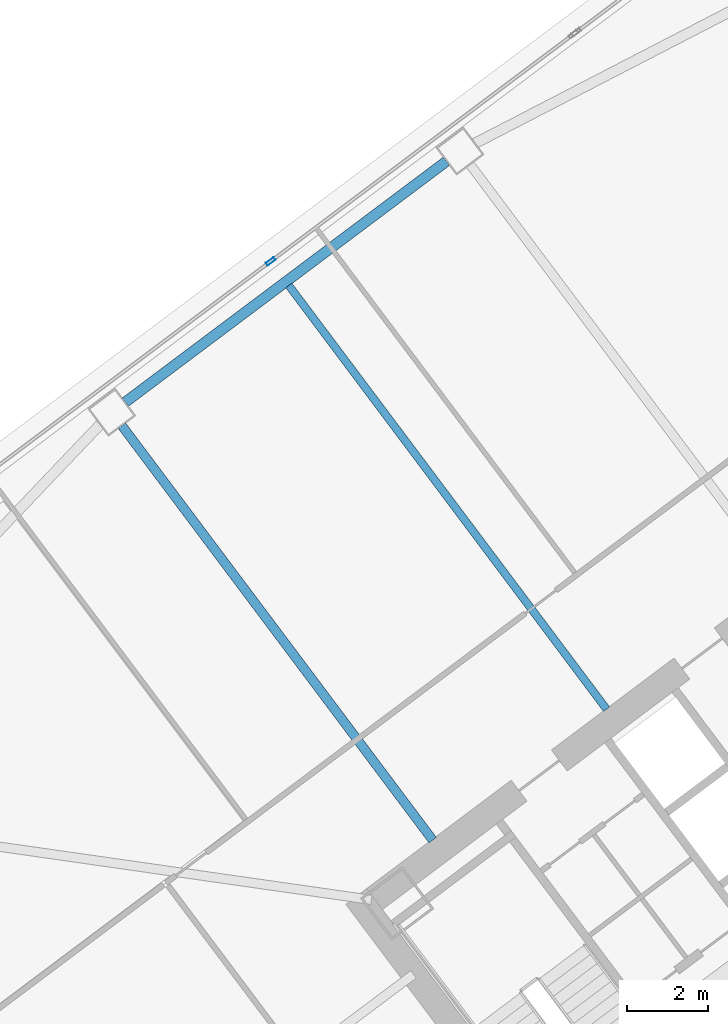
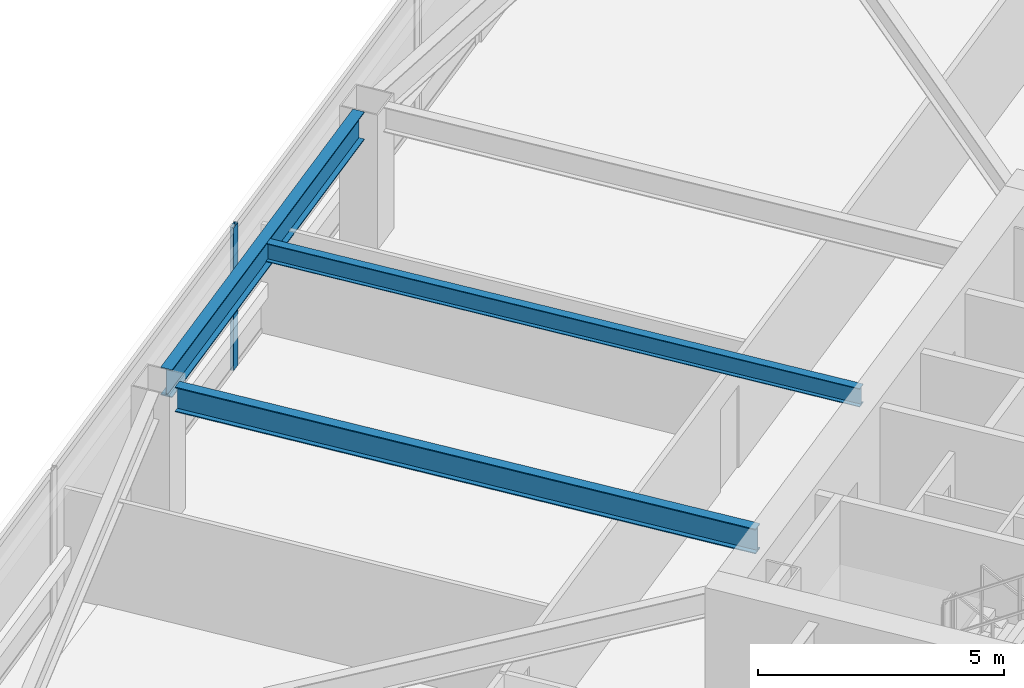
# One storey, part 29 of 46: 3 beams, 1 member, 1 element without a shape of its own.
"""IFC4 building model written with IfcOpenShell, lengths in metres."""

from ifc_helpers import new_model, si_unit, direction, frame, origin, origin_2d, place, context, subcontext, project, spatial, hollow_rectangle, i_section, extrude, material, material_profile, profile_set, type_object, element, aggregate, save


model = new_model("IFC4")

# Units and contexts
model_context = context("Model", 3, precision=1e-05, world=origin(), true_north=direction((0.0, 1.0)))
body_context = subcontext(model_context, "Body", "Model", "MODEL_VIEW")
ifc_project = project(units=[si_unit("LENGTHUNIT", "METRE"), si_unit("AREAUNIT", "SQUARE_METRE"), si_unit("VOLUMEUNIT", "CUBIC_METRE"), si_unit("PLANEANGLEUNIT", "RADIAN"), si_unit("MASSUNIT", "GRAM", prefix="KILO")], contexts=[model_context])

# Site, building, storey
site_placement = place(None, origin())
site = spatial("IfcSite", under=ifc_project, at=site_placement, CompositionType="ELEMENT")
building_placement = place(site_placement, origin())
building = spatial("IfcBuilding", under=site, at=building_placement, Name="Tashvorn Skyway Center", CompositionType="ELEMENT")
storey_placement = place(building_placement, frame((0.0, 0.0, 60.10009765625)))
storey = spatial("IfcBuildingStorey", under=building, at=storey_placement, Name="L15", CompositionType="ELEMENT", Elevation=60.10009765625)

# Beams
ifc_material_1 = material(Name="Steel ASTM A992 Grade 50", Category="steel")
ifc_material_profile_1 = material_profile(ifc_material_1, i_section(OverallWidth=0.22998046875, OverallDepth=0.616943359375, WebThickness=0.01318359375, FlangeThickness=0.022216796875, at=origin_2d()), Name="W24X94")
ifc_profile_set_1 = profile_set([ifc_material_profile_1], Name="Steel ASTM A992 Grade 50")
beam_type_1 = type_object("IfcBeamType", Name="BM-BEAM-W24X94", PredefinedType="BEAM", material=ifc_profile_set_1)
beam_1_placement = place(storey_placement, frame((97.302001953125, 45.263916015625, 3.04150390625), z_axis=(0.599996960112, -0.800002279907, 0.0), x_axis=(0.800002279907, 0.599996960112, 0.0)))
element("IfcBeam", 1, at=beam_1_placement, inside=storey, type_object=beam_type_1, Name="Tower 2 L15 Primary Floor Girder FC-N2", PredefinedType="BEAM", context=body_context, shape_type="SweptSolid", body=[
    extrude(i_section(OverallWidth=0.22998046875, OverallDepth=0.616943359375, WebThickness=0.01318359375, FlangeThickness=0.022216796875, at=origin_2d()), origin(), (0.0, 0.0, 1.0), 12.85009765625),
])
ifc_material_profile_2 = material_profile(ifc_material_1, i_section(OverallWidth=0.19091796875, OverallDepth=0.4599609375, WebThickness=0.010009765625, FlangeThickness=0.01611328125, at=origin_2d()), Name="W18X55")
ifc_profile_set_2 = profile_set([ifc_material_profile_2], Name="Steel ASTM A992 Grade 50")
beam_type_2 = type_object("IfcBeamType", Name="BM-JOIST-W18X55", PredefinedType="JOIST", material=ifc_profile_set_2)
beam_2_placement = place(storey_placement, frame((109.325927734375, 38.23193359375, 3.119873046875), z_axis=(-0.600002972791, 0.799997770398, 0.0), x_axis=(-0.799997770398, -0.600002972791, 0.0)))
element("IfcBeam", 2, at=beam_2_placement, inside=storey, type_object=beam_type_2, Name="Tower 2 L15 Secondary Composite Joist JN", PredefinedType="JOIST", context=body_context, shape_type="SweptSolid", body=[
    extrude(i_section(OverallWidth=0.19091796875, OverallDepth=0.4599609375, WebThickness=0.010009765625, FlangeThickness=0.01611328125, at=origin_2d()), origin(), (0.0, 0.0, 1.0), 13.139892578125),
])
ifc_material_profile_3 = material_profile(ifc_material_1, i_section(OverallWidth=0.256103515625, OverallDepth=0.693115234375, WebThickness=0.014404296875, FlangeThickness=0.023681640625, at=origin_2d()), Name="W27X114")
ifc_profile_set_3 = profile_set([ifc_material_profile_3], Name="Steel ASTM A992 Grade 50")
beam_type_3 = type_object("IfcBeamType", Name="BM-SPANDREL-W27X114", PredefinedType="SPANDREL", material=ifc_profile_set_3)
beam_3_placement = place(storey_placement, frame((105.35400390625, 51.827880859375, 3.00341796875), z_axis=(-0.800008824351, -0.599988234018, 0.0), x_axis=(0.599988234018, -0.800008824351, 0.0)))
element("IfcBeam", 3, at=beam_3_placement, inside=storey, type_object=beam_type_3, Name="Tower 2 L15 Spandrel Beam 08", PredefinedType="SPANDREL", context=body_context, shape_type="SweptSolid", body=[
    extrude(i_section(OverallWidth=0.256103515625, OverallDepth=0.693115234375, WebThickness=0.014404296875, FlangeThickness=0.023681640625, at=origin_2d()), origin(), (0.0, 0.0, 1.0), 9.9599609375),
])

# Curtain wall, member
ifc_material_2 = material(Name="Thermally broken bronze-anodized aluminium 6063-T6", Category="aluminium")
curtain_wall_type = type_object("IfcCurtainWallType", Name="CW-CW-Z1", PredefinedType="NOTDEFINED", material=ifc_material_2)
curtain_wall_placement = place(storey_placement, origin())
curtain_wall = element("IfcCurtainWall", 4, at=curtain_wall_placement, inside=storey, type_object=curtain_wall_type, Name="Tower 2 L15 North Unitised Curtain Wall Glazing Group 2", PredefinedType="NOTDEFINED")
ifc_material_profile_4 = material_profile(ifc_material_2, hollow_rectangle(XDim=0.0849609375, YDim=0.239990234375, WallThickness=0.0048828125, at=origin_2d()), Name="ALU-MULL-85x240")
ifc_profile_set_4 = profile_set([ifc_material_profile_4], Name="Thermally broken bronze-anodized aluminium 6063-T6")
member_type = type_object("IfcMemberType", Name="CWM-CW-Z1", PredefinedType="MULLION", material=ifc_profile_set_4)
member_placement = place(storey_placement, frame((100.991943359375, 49.343994140625, 0.0), z_axis=(0.0, 0.0, 1.0), x_axis=(-0.600000000002, 0.799999999998, 0.0)))
member = element("IfcMember", 5, at=member_placement, type_object=member_type, Name="CW-Z1 mullion 2", PredefinedType="MULLION", context=body_context, shape_type="SweptSolid", body=[
    extrude(hollow_rectangle(XDim=0.0849609375, YDim=0.239990234375, WallThickness=0.0048828125, at=origin_2d()), origin(), (0.0, 0.0, 1.0), 3.5498046875),
])
aggregate(curtain_wall, [member])

save(model, "model.ifc")
